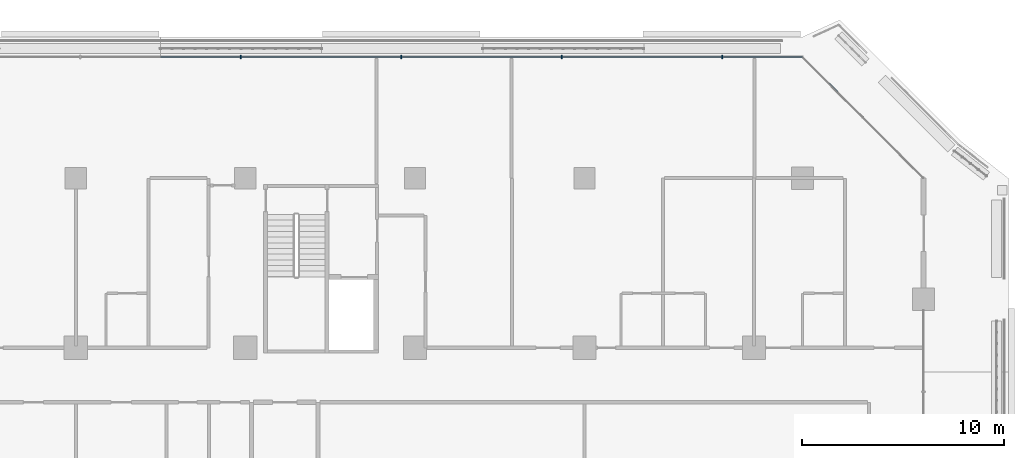
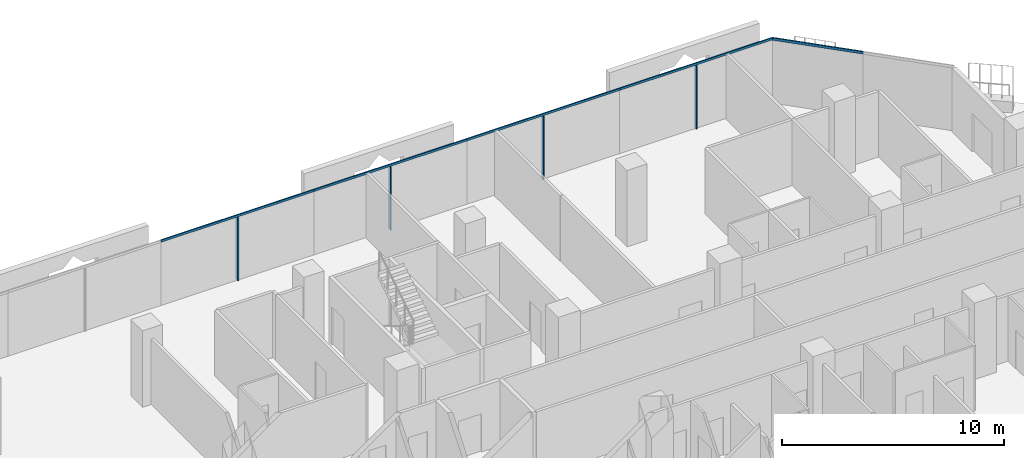
# One storey, part 9 of 26: 9 members, 2 elements without a shape of their own.
"""IFC4 building model written with IfcOpenShell, lengths in metres."""

from ifc_helpers import new_model, si_unit, direction, frame, origin, origin_2d, place, context, subcontext, project, spatial, rectangle, extrude, material, layer, layer_set, material_profile, profile_set, type_object, element, aggregate, save


model = new_model("IFC4")

# Units and contexts
model_context = context("Model", 3, precision=1e-05, world=origin(), true_north=direction((0.0, 1.0)))
body_context = subcontext(model_context, "Body", "Model", "MODEL_VIEW")
ifc_project = project(units=[si_unit("LENGTHUNIT", "METRE"), si_unit("AREAUNIT", "SQUARE_METRE"), si_unit("VOLUMEUNIT", "CUBIC_METRE"), si_unit("PLANEANGLEUNIT", "RADIAN"), si_unit("MASSUNIT", "GRAM", prefix="KILO")], contexts=[model_context])

# Site, building, storey
site_placement = place(None, origin())
site = spatial("IfcSite", under=ifc_project, at=site_placement, CompositionType="ELEMENT")
building_placement = place(site_placement, origin())
building = spatial("IfcBuilding", under=site, at=building_placement, Name="Kawkab Arch Medical Tower", CompositionType="ELEMENT")
storey_placement = place(building_placement, frame((0.0, 0.0, 119.800048828125)))
storey = spatial("IfcBuildingStorey", under=building, at=storey_placement, Name="L27", CompositionType="ELEMENT", Elevation=119.800048828125)

# Curtain wall, members
ifc_material_1 = material(Name="Bronze anodised aluminium curtain wall frame", Category="aluminium")
ifc_layer_1 = layer(ifc_material_1, 0.159912109375)
ifc_layer_set_1 = layer_set([ifc_layer_1], Name="Bronze anodised aluminium curtain wall frame")
curtain_wall_type_1 = type_object("IfcCurtainWallType", Name="CW1 ward curtain wall", PredefinedType="NOTDEFINED", material=ifc_layer_set_1)
placement = place(storey_placement, origin())
curtain_wall_1 = element("IfcCurtainWall", 1, at=placement, inside=storey, type_object=curtain_wall_type_1, Name="CW1 Ward curtain wall R11", PredefinedType="NOTDEFINED")
ifc_material_2 = material(Name="Bronze anodised aluminium curtain wall frame", Category="aluminium")
ifc_material_profile_1 = material_profile(ifc_material_2, rectangle(XDim=0.179931640625, YDim=0.06005859375, at=origin_2d()), Name="AL 60x180")
ifc_profile_set_1 = profile_set([ifc_material_profile_1], Name="Bronze anodised aluminium curtain wall frame")
member_type_1 = type_object("IfcMemberType", Name="CW1 mullion 60 x 180", PredefinedType="MULLION", material=ifc_profile_set_1)
member_1_placement = place(storey_placement, frame((65.625, 6.0, 0.0), z_axis=(0.0, 0.0, 1.0), x_axis=(0.0, -1.0, 0.0)))
member_1 = element("IfcMember", 2, at=member_1_placement, type_object=member_type_1, Name="CW1 mullion 1.1", PredefinedType="MULLION", context=body_context, shape_type="SweptSolid", body=[
    extrude(rectangle(XDim=0.179931640625, YDim=0.06005859375, at=origin_2d()), origin(), (0.0, 0.0, 1.0), 3.47998046875),
])
member_2_placement = place(storey_placement, frame((57.675048828125, 6.0, 0.0), z_axis=(0.0, 0.0, 1.0), x_axis=(0.0, -1.0, 0.0)))
member_2 = element("IfcMember", 3, at=member_2_placement, type_object=member_type_1, Name="CW1 mullion 2.1", PredefinedType="MULLION", context=body_context, shape_type="SweptSolid", body=[
    extrude(rectangle(XDim=0.179931640625, YDim=0.06005859375, at=origin_2d()), origin(), (0.0, 0.0, 1.0), 3.47998046875),
])
member_3_placement = place(storey_placement, frame((49.72509765625, 6.0, 0.0), z_axis=(0.0, 0.0, 1.0), x_axis=(0.0, -1.0, 0.0)))
member_3 = element("IfcMember", 4, at=member_3_placement, type_object=member_type_1, Name="CW1 mullion 3.1", PredefinedType="MULLION", context=body_context, shape_type="SweptSolid", body=[
    extrude(rectangle(XDim=0.179931640625, YDim=0.06005859375, at=origin_2d()), origin(), (0.0, 0.0, 1.0), 3.47998046875),
])
member_4_placement = place(storey_placement, frame((41.77490234375, 6.0, 0.0), z_axis=(0.0, 0.0, 1.0), x_axis=(0.0, -1.0, 0.0)))
member_4 = element("IfcMember", 5, at=member_4_placement, type_object=member_type_1, Name="CW1 mullion 4.1", PredefinedType="MULLION", context=body_context, shape_type="SweptSolid", body=[
    extrude(rectangle(XDim=0.179931640625, YDim=0.06005859375, at=origin_2d()), origin(), (0.0, 0.0, 1.0), 3.47998046875),
])
ifc_material_3 = material(Name="Bronze anodised aluminium curtain wall frame", Category="aluminium")
ifc_material_profile_2 = material_profile(ifc_material_3, rectangle(XDim=0.06005859375, YDim=0.1201171875, at=origin_2d()), Name="AL 60x120")
ifc_profile_set_2 = profile_set([ifc_material_profile_2], Name="Bronze anodised aluminium curtain wall frame")
member_type_2 = type_object("IfcMemberType", Name="CW1 transom 120 x 60", PredefinedType="USERDEFINED", material=ifc_profile_set_2)
member_5_placement = place(storey_placement, frame((69.60009765625, 6.0, 3.5400390625), z_axis=(-1.0, 0.0, 0.0), x_axis=(0.0, -1.0, 0.0)))
member_5 = element("IfcMember", 6, at=member_5_placement, type_object=member_type_2, Name="CW1 transom 1", ObjectType="TRANSOM", PredefinedType="USERDEFINED", context=body_context, shape_type="SweptSolid", body=[
    extrude(rectangle(XDim=0.06005859375, YDim=0.1201171875, at=origin_2d()), origin(), (0.0, 0.0, 1.0), 7.9501953125),
])
member_6_placement = place(storey_placement, frame((61.64990234375, 6.0, 3.5400390625), z_axis=(-1.0, 0.0, 0.0), x_axis=(0.0, -1.0, 0.0)))
member_6 = element("IfcMember", 7, at=member_6_placement, type_object=member_type_2, Name="CW1 transom 2", ObjectType="TRANSOM", PredefinedType="USERDEFINED", context=body_context, shape_type="SweptSolid", body=[
    extrude(rectangle(XDim=0.06005859375, YDim=0.1201171875, at=origin_2d()), origin(), (0.0, 0.0, 1.0), 7.949951171875),
])
member_7_placement = place(storey_placement, frame((53.699951171875, 6.0, 3.5400390625), z_axis=(-1.0, 0.0, 0.0), x_axis=(0.0, -1.0, 0.0)))
member_7 = element("IfcMember", 8, at=member_7_placement, type_object=member_type_2, Name="CW1 transom 3", ObjectType="TRANSOM", PredefinedType="USERDEFINED", context=body_context, shape_type="SweptSolid", body=[
    extrude(rectangle(XDim=0.06005859375, YDim=0.1201171875, at=origin_2d()), origin(), (0.0, 0.0, 1.0), 7.949951171875),
])
member_8_placement = place(storey_placement, frame((45.75, 6.0, 3.5400390625), z_axis=(-1.0, 0.0, 0.0), x_axis=(0.0, -1.0, 0.0)))
member_8 = element("IfcMember", 9, at=member_8_placement, type_object=member_type_2, Name="CW1 transom 4", ObjectType="TRANSOM", PredefinedType="USERDEFINED", context=body_context, shape_type="SweptSolid", body=[
    extrude(rectangle(XDim=0.06005859375, YDim=0.1201171875, at=origin_2d()), origin(), (0.0, 0.0, 1.0), 7.949951171875),
])
aggregate(curtain_wall_1, [member_5, member_1, member_6, member_2, member_7, member_3, member_8, member_4])

# Curtain wall, member
ifc_material_4 = material(Name="Bronze anodised aluminium curtain wall frame", Category="aluminium")
ifc_layer_2 = layer(ifc_material_4, 0.159912109375)
ifc_layer_set_2 = layer_set([ifc_layer_2], Name="Bronze anodised aluminium curtain wall frame")
curtain_wall_type_2 = type_object("IfcCurtainWallType", Name="CW2 chamfer curtain wall", PredefinedType="NOTDEFINED", material=ifc_layer_set_2)
curtain_wall_2 = element("IfcCurtainWall", 10, at=placement, inside=storey, type_object=curtain_wall_type_2, Name="CW2 Chamfer curtain wall R10", PredefinedType="NOTDEFINED")
ifc_material_5 = material(Name="Bronze anodised aluminium curtain wall frame", Category="aluminium")
ifc_material_profile_3 = material_profile(ifc_material_5, rectangle(XDim=0.06005859375, YDim=0.139892578125, at=origin_2d()), Name="AL 60x140")
ifc_profile_set_3 = profile_set([ifc_material_profile_3], Name="Bronze anodised aluminium curtain wall frame")
member_type_3 = type_object("IfcMemberType", Name="CW2 transom 140 x 60", PredefinedType="USERDEFINED", material=ifc_profile_set_3)
member_9_placement = place(storey_placement, frame((72.60009765625, 3.0, 3.530029296875), z_axis=(-0.707106781187, 0.707106781187, 0.0), x_axis=(-0.707106781187, -0.707106781187, 0.0)))
member_9 = element("IfcMember", 11, at=member_9_placement, type_object=member_type_3, Name="CW2 transom 2", ObjectType="TRANSOM", PredefinedType="USERDEFINED", context=body_context, shape_type="SweptSolid", body=[
    extrude(rectangle(XDim=0.06005859375, YDim=0.139892578125, at=origin_2d()), origin(), (0.0, 0.0, 1.0), 4.24267578125),
])
aggregate(curtain_wall_2, [member_9])

save(model, "model.ifc")
